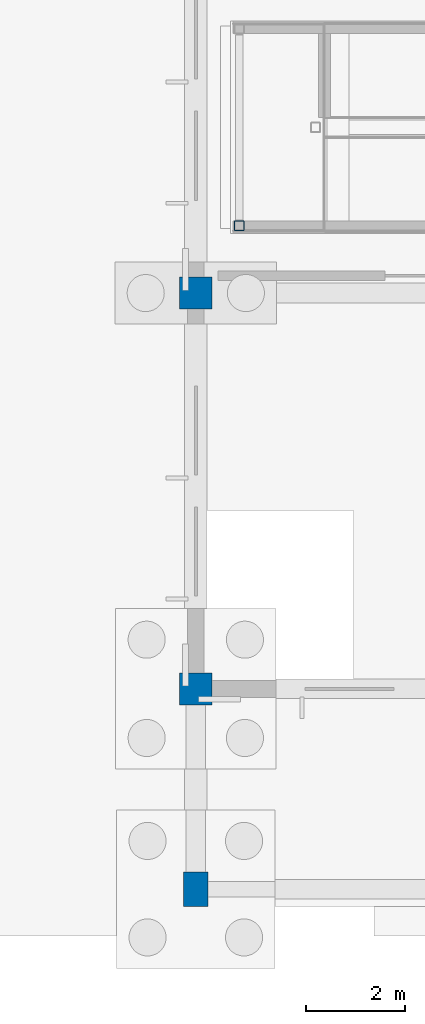
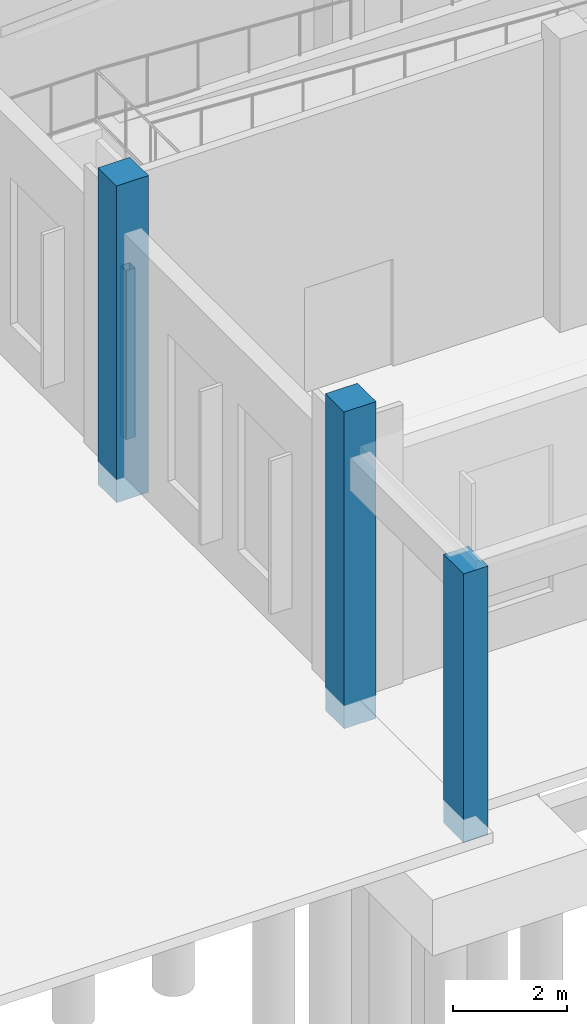
# One storey, part 24 of 99: 4 columns.
"""IFC4 building model written with IfcOpenShell, lengths in metres."""

from ifc_helpers import new_model, si_unit, direction, frame, origin, origin_2d, place, context, subcontext, project, spatial, rectangle, hollow_rectangle, extrude, material, material_profile, profile_set, type_object, element, save


model = new_model("IFC4")

# Units and contexts
model_context = context("Model", 3, precision=1e-05, world=origin(), true_north=direction((0.0, 1.0)))
body_context = subcontext(model_context, "Body", "Model", "MODEL_VIEW")
ifc_project = project(units=[si_unit("LENGTHUNIT", "METRE"), si_unit("AREAUNIT", "SQUARE_METRE"), si_unit("VOLUMEUNIT", "CUBIC_METRE"), si_unit("PLANEANGLEUNIT", "RADIAN"), si_unit("MASSUNIT", "GRAM", prefix="KILO")], contexts=[model_context])

# Site, building, storey
site_placement = place(None, origin())
site = spatial("IfcSite", under=ifc_project, at=site_placement, CompositionType="ELEMENT")
building_placement = place(site_placement, origin())
building = spatial("IfcBuilding", under=site, at=building_placement, Name="Zacnel Wholesale Market", CompositionType="ELEMENT")
storey_placement = place(building_placement, origin())
storey = spatial("IfcBuildingStorey", under=building, at=storey_placement, Name="L01", CompositionType="ELEMENT", Elevation=0.0)

# Columns
ifc_material_1 = material(Name="Precast concrete C45/55", Category="concrete")
ifc_material_profile_1 = material_profile(ifc_material_1, rectangle(XDim=0.64990234375, YDim=0.64990234375, at=origin_2d()), Name="PC 650x650")
ifc_profile_set_1 = profile_set([ifc_material_profile_1], Name="Precast concrete C45/55")
column_type_1 = type_object("IfcColumnType", Name="COL-PC650", PredefinedType="COLUMN", material=ifc_profile_set_1)
for number, where, z_axis, x_axis, name in (
    (1, (54.0, 0.0, -0.5), (0.0, 0.0, 1.0), (1.0, 0.0, 0.0), "Precast column L01-0091"),
    (2, (54.0, 8.0, -0.5), (0.0, 0.0, 1.0), (1.0, 0.0, 0.0), "Precast column L01-0092"),
):
    element("IfcColumn", number, at=place(storey_placement, frame(where, z_axis=z_axis, x_axis=x_axis)), inside=storey, type_object=column_type_1, Name=name, PredefinedType="COLUMN", context=body_context, shape_type="SweptSolid", body=[
        extrude(rectangle(XDim=0.64990234375, YDim=0.64990234375, at=origin_2d()), origin(), (0.0, 0.0, 1.0), 6.800048828125),
    ])
ifc_material_2 = material(Name="Steel S355", Category="steel")
ifc_material_profile_2 = material_profile(ifc_material_2, hollow_rectangle(XDim=0.199951171875, YDim=0.199951171875, WallThickness=0.010009765625, InnerFilletRadius=0.010009765625, OuterFilletRadius=0.02001953125, at=origin_2d()), Name="HSS 200x200x10")
ifc_profile_set_2 = profile_set([ifc_material_profile_2], Name="Steel S355")
column_type_2 = type_object("IfcColumnType", Name="COL-STL-HSS200", PredefinedType="COLUMN", material=ifc_profile_set_2)
column_1_placement = place(storey_placement, frame((54.8798828125, 9.360107421875, -0.5), z_axis=(0.0, 0.0, 1.0), x_axis=(1.0, 0.0, 0.0)))
element("IfcColumn", 3, at=column_1_placement, inside=storey, type_object=column_type_2, Name="Accessible ramp RP-03 (RMP-PROM-1A) support column 1", PredefinedType="COLUMN", context=body_context, shape_type="SweptSolid", body=[
    extrude(hollow_rectangle(XDim=0.199951171875, YDim=0.199951171875, WallThickness=0.010009765625, InnerFilletRadius=0.010009765625, OuterFilletRadius=0.02001953125, at=origin_2d()), origin(), (0.0, 0.0, 1.0), 3.6298828125),
])
ifc_material_3 = material(Name="Precast concrete C45/55", Category="concrete")
ifc_material_profile_3 = material_profile(ifc_material_3, rectangle(XDim=0.5, YDim=0.699951171875, at=origin_2d()), Name="PIL 500x700")
ifc_profile_set_3 = profile_set([ifc_material_profile_3], Name="Precast concrete C45/55")
column_type_3 = type_object("IfcColumnType", Name="PIL-DEC500X700", PredefinedType="PILASTER", material=ifc_profile_set_3)
column_2_placement = place(storey_placement, frame((54.0, -4.050048828125, -0.5), z_axis=(0.0, 0.0, 1.0), x_axis=(1.0, 0.0, 0.0)))
element("IfcColumn", 4, at=column_2_placement, inside=storey, type_object=column_type_3, Name="Mayan-Deco colonnade pilaster 01", PredefinedType="PILASTER", context=body_context, shape_type="SweptSolid", body=[
    extrude(rectangle(XDim=0.5, YDim=0.699951171875, at=origin_2d()), origin(), (0.0, 0.0, 1.0), 5.77001953125),
])

save(model, "model.ifc")
